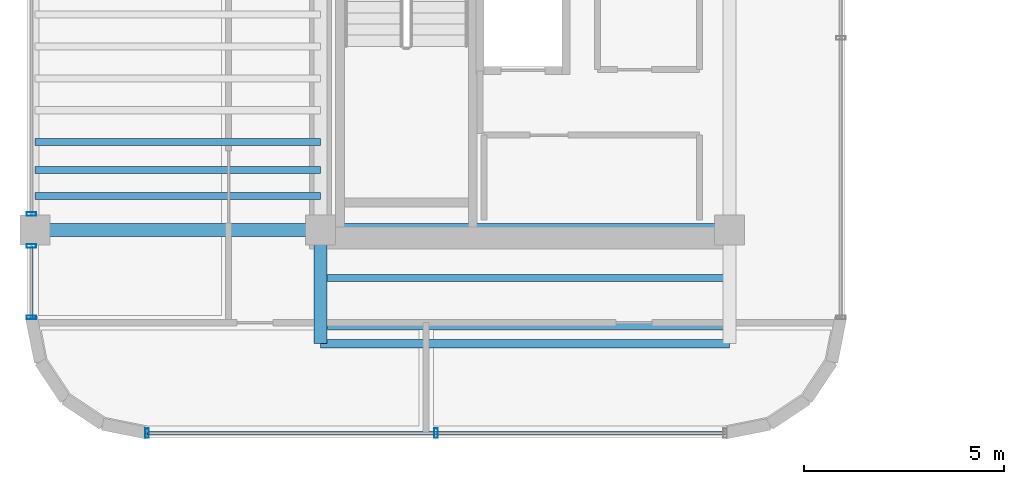
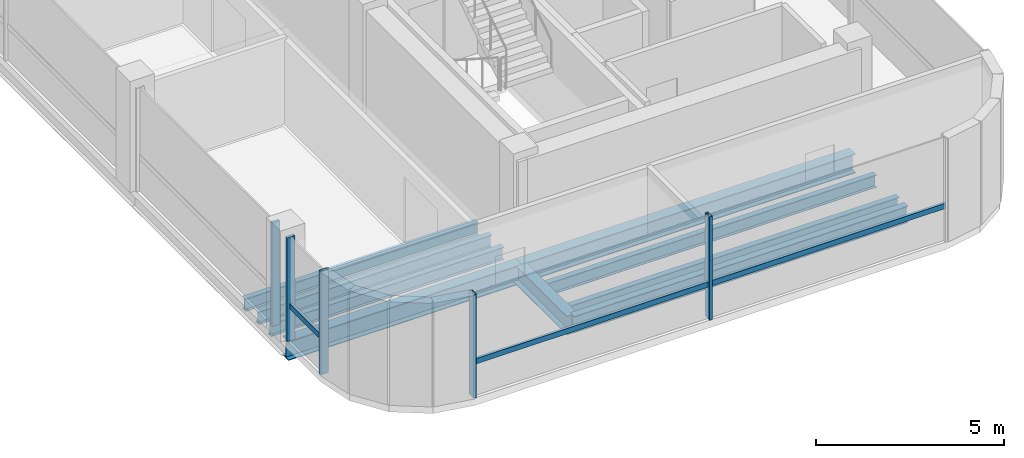
# One storey, part 2 of 13: 9 beams, 7 members, 3 elements without a shape of their own.
"""IFC4 building model written with IfcOpenShell, lengths in metres."""

import ifcopenshell
import ifcopenshell.guid

model = None  # the IFC model being written
_history = None  # IfcOwnerHistory: only IFC2X3 demands one
_inside = {}  # id of a spatial element -> (the spatial element, [elements in it])
_under = {}  # id of a project, library or spatial element -> (it, [spatial elements below it])
_declared = {}  # id of a project -> (the project, [libraries it declares])
_typed = {}  # id of a type object -> (the type object, [elements of that type])
_made_of = {}  # id of a material, layer set ... -> (it, [elements and type objects made of it])


def new_model(schema):
    """Start an empty IFC model of exactly this schema.

    Asked for "IFC4X3", IfcOpenShell would pick the latest addendum, in which some entities
    have other attributes; the version numbers below select the first issue.
    IFC2X3 requires an IfcOwnerHistory on every rooted entity: one is made here for all.
    """
    global model, _history
    if schema == "IFC4X3":
        model = ifcopenshell.file(schema_version=(4, 3, 0, 0))
    else:
        model = ifcopenshell.file(schema=schema)
    _inside.clear()
    _under.clear()
    _declared.clear()
    _typed.clear()
    _made_of.clear()
    _history = None
    if model.schema == "IFC2X3":
        org = make("IfcOrganization", Name="unknown")
        user = make(
            "IfcPersonAndOrganization",
            ThePerson=make("IfcPerson", FamilyName="unknown"),
            TheOrganization=org,
        )
        app = make(
            "IfcApplication",
            ApplicationDeveloper=org,
            Version="unknown",
            ApplicationFullName="unknown",
            ApplicationIdentifier="unknown",
        )
        _history = make(
            "IfcOwnerHistory",
            OwningUser=user,
            OwningApplication=app,
            ChangeAction="ADDED",
            CreationDate=0,
        )
    return model


def make(cls, **values):
    """One entity of the class cls with the attributes given. An attribute that is None is left unset."""
    return model.create_entity(
        cls, **{name: value for name, value in values.items() if value is not None}
    )


def rooted(cls, **values):
    """An entity with a GlobalId (a new one), such as an element, a storey or a relation."""
    return make(cls, GlobalId=ifcopenshell.guid.new(), OwnerHistory=_history, **values)


def si_unit(unit_type, name, prefix=None):
    """IfcSIUnit, for example si_unit("LENGTHUNIT", "METRE", prefix="MILLI")."""
    return make("IfcSIUnit", UnitType=unit_type, Prefix=prefix, Name=name)


def assignment(units):
    """IfcUnitAssignment: the units of a project."""
    return None if units is None else make("IfcUnitAssignment", Units=units)


def point(xyz):
    """IfcCartesianPoint."""
    return None if xyz is None else make("IfcCartesianPoint", Coordinates=xyz)


def direction(xyz):
    """IfcDirection."""
    return None if xyz is None else make("IfcDirection", DirectionRatios=xyz)


def frame(location, z_axis=None, x_axis=None):
    """IfcAxis2Placement3D, a coordinate frame: its origin and axes. An axis left out is left unset."""
    return make(
        "IfcAxis2Placement3D",
        Location=point(location),
        Axis=direction(z_axis),
        RefDirection=direction(x_axis),
    )


def frame_2d(location, x_axis=None):
    """IfcAxis2Placement2D, a coordinate frame in the plane: its origin and x axis."""
    return make(
        "IfcAxis2Placement2D", Location=point(location), RefDirection=direction(x_axis)
    )


def origin():
    """The frame at (0, 0, 0) with its axes left unset."""
    return frame((0.0, 0.0, 0.0))


def origin_2d():
    """The frame at (0, 0) in the plane with its x axis left unset."""
    return frame_2d((0.0, 0.0))


def place(relative_to, where):
    """IfcLocalPlacement: puts the frame where relative to a parent placement (None: the world)."""
    return make(
        "IfcLocalPlacement", PlacementRelTo=relative_to, RelativePlacement=where
    )


def context(
    kind, dimensions, precision=None, world=None, true_north=None, identifier=None
):
    """IfcGeometricRepresentationContext, for example the 3D "Model" context."""
    return make(
        "IfcGeometricRepresentationContext",
        ContextIdentifier=identifier,
        ContextType=kind,
        CoordinateSpaceDimension=dimensions,
        Precision=precision,
        WorldCoordinateSystem=world,
        TrueNorth=true_north,
    )


def subcontext(parent, identifier, kind, view, scale=None):
    """IfcGeometricRepresentationSubContext, for example "Body" below "Model"."""
    return make(
        "IfcGeometricRepresentationSubContext",
        ContextIdentifier=identifier,
        ContextType=kind,
        ParentContext=parent,
        TargetScale=scale,
        TargetView=view,
    )


def project(units=None, contexts=None):
    """IfcProject with its units and contexts."""
    return rooted(
        "IfcProject",
        Name="project",
        RepresentationContexts=contexts,
        UnitsInContext=assignment(units),
    )


def spatial(cls, under=None, at=None, **own):
    """A site, building, storey or space (cls), placed at a placement, below another one or the project."""
    s = rooted(cls, ObjectPlacement=at, **own)
    if under is not None:
        _under.setdefault(under.id(), (under, []))[1].append(s)
    return s


def profile(cls, at=None, kind="AREA", **sizes):
    """A parametric profile (cls). Its sizes go by their IFC names, for example OverallWidth=200.0."""
    return make(cls, ProfileType=kind, Position=at, **sizes)


def hollow_rectangle(**sizes):
    """IfcRectangleHollowProfileDef."""
    return profile("IfcRectangleHollowProfileDef", **sizes)


def i_section(**sizes):
    """IfcIShapeProfileDef."""
    return profile("IfcIShapeProfileDef", **sizes)


def extrude(swept, where, along, depth):
    """IfcExtrudedAreaSolid: the profile swept, set in the frame where, extruded along a direction by depth."""
    return make(
        "IfcExtrudedAreaSolid",
        SweptArea=swept,
        Position=where,
        ExtrudedDirection=direction(along),
        Depth=depth,
    )


def shape(context_of_items, identifier, shape_type, items):
    """IfcShapeRepresentation: the items that make up one representation, for example the "Body"."""
    return make(
        "IfcShapeRepresentation",
        ContextOfItems=context_of_items,
        RepresentationIdentifier=identifier,
        RepresentationType=shape_type,
        Items=items,
    )


def source(mapping_origin, context_of_items, identifier, shape_type, items):
    """IfcRepresentationMap: a shape defined once, which mapped items show again and again."""
    return make(
        "IfcRepresentationMap",
        MappingOrigin=mapping_origin,
        MappedRepresentation=shape(context_of_items, identifier, shape_type, items),
    )


def transform(
    local_origin,
    x_axis=None,
    y_axis=None,
    z_axis=None,
    scale=None,
    scale2=None,
    scale3=None,
    uniform=True,
):
    """IfcCartesianTransformationOperator3D, or its non-uniform kind. x_axis, y_axis, z_axis: its Axis1, 2, 3."""
    if uniform:
        return make(
            "IfcCartesianTransformationOperator3D",
            Axis1=direction(x_axis),
            Axis2=direction(y_axis),
            LocalOrigin=point(local_origin),
            Scale=scale,
            Axis3=direction(z_axis),
        )
    return make(
        "IfcCartesianTransformationOperator3DnonUniform",
        Axis1=direction(x_axis),
        Axis2=direction(y_axis),
        LocalOrigin=point(local_origin),
        Scale=scale,
        Axis3=direction(z_axis),
        Scale2=scale2,
        Scale3=scale3,
    )


def mapped(mapping_source, mapping_target):
    """IfcMappedItem: shows the shape of a source again, moved by a transform."""
    return make(
        "IfcMappedItem", MappingSource=mapping_source, MappingTarget=mapping_target
    )


def material(Name=None, Category=None):
    """IfcMaterial."""
    return make("IfcMaterial", Name=Name, Category=Category)


def material_profile(
    of_material, cross_section, Name=None, Category=None, Priority=None
):
    """IfcMaterialProfile: a cross section and its material."""
    return make(
        "IfcMaterialProfile",
        Name=Name,
        Material=of_material,
        Profile=cross_section,
        Priority=Priority,
        Category=Category,
    )


def profile_set(profiles, Name=None, composite=None):
    """IfcMaterialProfileSet."""
    return make(
        "IfcMaterialProfileSet",
        Name=Name,
        MaterialProfiles=profiles,
        CompositeProfile=composite,
    )


def made_of(thing, what):
    """Note that an element or type object is made of a material, layer set ...; save() writes the relation."""
    if what is not None:
        _made_of.setdefault(what.id(), (what, []))[1].append(thing)
    return thing


def type_object(cls, material=None, **own):
    """A type object (cls), such as IfcWallType, which elements share."""
    return made_of(rooted(cls, **own), material)


def element(
    cls,
    number,
    at=None,
    inside=None,
    cuts=None,
    type_object=None,
    material=None,
    context=None,
    identifier="Body",
    shape_type=None,
    held_by="IfcProductDefinitionShape",
    body=None,
    shapes=None,
    **own,
):
    """One element of the class cls, such as IfcWall. Its Tag is "e" and its number.

    at: its placement. inside: the storey or other place that contains it. cuts: it is an
    opening in that element (IfcRelVoidsElement). A single representation is given by context,
    identifier, shape_type and body (its items); several are given by shapes. held_by: the class
    of the entity that holds the representations. save() writes the other relations.
    """
    e = rooted(cls, Tag="e%d" % number, ObjectPlacement=at, **own)
    if body is not None:
        shapes = [shape(context, identifier, shape_type, body)]
    if shapes is not None:
        e.Representation = make(held_by, Representations=shapes)
    if inside is not None:
        _inside.setdefault(inside.id(), (inside, []))[1].append(e)
    if cuts is not None:
        rooted(
            "IfcRelVoidsElement", RelatingBuildingElement=cuts, RelatedOpeningElement=e
        )
    if type_object is not None:
        _typed.setdefault(type_object.id(), (type_object, []))[1].append(e)
    return made_of(e, material)


def aggregate(whole, parts):
    """IfcRelAggregates: a whole, such as a stair, and the parts it consists of."""
    return rooted("IfcRelAggregates", RelatingObject=whole, RelatedObjects=parts)


def save(model, path):
    """Write the relations noted so far, then the file.

    IfcRelAggregates (storeys below a building ...), IfcRelContainedInSpatialStructure (elements
    in a storey), IfcRelDefinesByType, IfcRelAssociatesMaterial and IfcRelDeclares: one each for
    every whole, place, type object, material and project.
    """
    for whole, parts in _under.values():
        aggregate(whole, parts)
    for where, things in _inside.values():
        rooted(
            "IfcRelContainedInSpatialStructure",
            RelatedElements=things,
            RelatingStructure=where,
        )
    for kind, things in _typed.values():
        rooted("IfcRelDefinesByType", RelatedObjects=things, RelatingType=kind)
    for what, things in _made_of.values():
        rooted("IfcRelAssociatesMaterial", RelatedObjects=things, RelatingMaterial=what)
    for by, libraries in _declared.values():
        rooted("IfcRelDeclares", RelatingContext=by, RelatedDefinitions=libraries)
    model.write(path)


model = new_model("IFC4")

# Units and contexts
model_context = context("Model", 3, precision=1e-05, world=origin(), true_north=direction((0.0, 1.0)))
body_context = subcontext(model_context, "Body", "Model", "MODEL_VIEW")
ifc_project = project(units=[si_unit("LENGTHUNIT", "METRE"), si_unit("AREAUNIT", "SQUARE_METRE"), si_unit("VOLUMEUNIT", "CUBIC_METRE"), si_unit("PLANEANGLEUNIT", "RADIAN"), si_unit("MASSUNIT", "GRAM", prefix="KILO")], contexts=[model_context])

# Site, building, storey
site_placement = place(None, origin())
site = spatial("IfcSite", under=ifc_project, at=site_placement, CompositionType="ELEMENT")
building_placement = place(site_placement, origin())
building = spatial("IfcBuilding", under=site, at=building_placement, Name="Valdorenza Pilgrim Sanctuary Tower", CompositionType="ELEMENT")
storey_placement = place(building_placement, frame((0.0, 0.0, 290.60009765625)))
storey = spatial("IfcBuildingStorey", under=building, at=storey_placement, Name="L76", CompositionType="ELEMENT", Elevation=290.60009765625)

# Beams
ifc_material_1 = material(Name="Steel ASTM A992 Grade 50", Category="steel")
ifc_material_profile_1 = material_profile(ifc_material_1, i_section(OverallWidth=0.323974609375, OverallDepth=0.611083984375, WebThickness=0.0126953125, FlangeThickness=0.01904296875, at=origin_2d()), Name="W24X104")
ifc_profile_set_1 = profile_set([ifc_material_profile_1], Name="Steel ASTM A992 Grade 50")
beam_type_1 = type_object("IfcBeamType", Name="STR-BM-GRD-W24B", PredefinedType="BEAM", material=ifc_profile_set_1)
shared_shape_1 = source(origin(), body_context, "Body", "SweptSolid", [
    extrude(i_section(OverallWidth=0.323974609375, OverallDepth=0.611083984375, WebThickness=0.0126953125, FlangeThickness=0.01904296875, at=origin_2d()), origin(), (0.0, 0.0, 1.0), 2.849853515625),
])
beam_1_placement = place(storey_placement, frame((-22.64990234375, -13.449951171875, -0.545654296875), z_axis=(0.0, 1.0, 0.0), x_axis=(-1.0, 0.0, 0.0)))
element("IfcBeam", 1, at=beam_1_placement, inside=storey, type_object=beam_type_1, Name="L76 Floor Girder WA-S-LW", PredefinedType="BEAM", context=body_context, shape_type="MappedRepresentation", body=[
    mapped(shared_shape_1, transform((0.0, 0.0, 0.0), x_axis=(1.0, 0.0, 0.0), y_axis=(0.0, 1.0, 0.0), z_axis=(0.0, 0.0, 1.0), scale=1.0)),
])
ifc_material_profile_2 = material_profile(ifc_material_1, i_section(OverallWidth=0.2109375, OverallDepth=0.5390625, WebThickness=0.01171875, FlangeThickness=0.018798828125, at=origin_2d()), Name="W21X73")
ifc_profile_set_2 = profile_set([ifc_material_profile_2], Name="Steel ASTM A992 Grade 50")
beam_type_2 = type_object("IfcBeamType", Name="STR-BM-SPN-W21B", PredefinedType="SPANDREL", material=ifc_profile_set_2)
shared_shape_2 = source(origin(), body_context, "Body", "SweptSolid", [
    extrude(i_section(OverallWidth=0.2109375, OverallDepth=0.5390625, WebThickness=0.01171875, FlangeThickness=0.018798828125, at=origin_2d()), origin(), (0.0, 0.0, 1.0), 10.25),
])
beam_2_placement = place(storey_placement, frame((-22.64990234375, -13.449951171875, -0.509521484375), z_axis=(1.0, 0.0, 0.0), x_axis=(0.0, 1.0, 0.0)))
element("IfcBeam", 2, at=beam_2_placement, inside=storey, type_object=beam_type_2, Name="L76 South Spandrel WA-S-TIE", PredefinedType="SPANDREL", context=body_context, shape_type="MappedRepresentation", body=[
    mapped(shared_shape_2, transform((0.0, 0.0, 0.0), x_axis=(1.0, 0.0, 0.0), y_axis=(0.0, 1.0, 0.0), z_axis=(0.0, 0.0, 1.0), scale=1.0)),
])
ifc_material_profile_3 = material_profile(ifc_material_1, i_section(OverallWidth=0.177978515625, OverallDepth=0.406005859375, WebThickness=0.0078125, FlangeThickness=0.0126953125, at=origin_2d()), Name="W16X40")
ifc_profile_set_3 = profile_set([ifc_material_profile_3], Name="Steel ASTM A992 Grade 50")
beam_type_3 = type_object("IfcBeamType", Name="STR-BM-JST-W16", PredefinedType="JOIST", material=ifc_profile_set_3)
shared_shape_3 = source(origin(), body_context, "Body", "SweptSolid", [
    extrude(i_section(OverallWidth=0.177978515625, OverallDepth=0.406005859375, WebThickness=0.0078125, FlangeThickness=0.0126953125, at=origin_2d()), origin(), (0.0, 0.0, 1.0), 10.25),
])
for number, where, z_axis, x_axis, name in (
    (3, (-22.64990234375, -13.0, -0.443115234375), (1.0, 0.0, 0.0), (0.0, 1.0, 0.0), "L76 Composite Floor Joist JST-WAS-1"),
    (4, (-22.64990234375, -11.800048828125, -0.443115234375), (1.0, 0.0, 0.0), (0.0, 1.0, 0.0), "L76 Composite Floor Joist JST-WAS-2"),
):
    element("IfcBeam", number, at=place(storey_placement, frame(where, z_axis=z_axis, x_axis=x_axis)), inside=storey, type_object=beam_type_3, Name=name, PredefinedType="JOIST", context=body_context, shape_type="MappedRepresentation", body=[
        mapped(shared_shape_3, transform((0.0, 0.0, 0.0), x_axis=(1.0, 0.0, 0.0), y_axis=(0.0, 1.0, 0.0), z_axis=(0.0, 0.0, 1.0), scale=1.0)),
    ])
shared_shape_4 = source(origin(), body_context, "Body", "SweptSolid", [
    extrude(i_section(OverallWidth=0.177978515625, OverallDepth=0.406005859375, WebThickness=0.0078125, FlangeThickness=0.0126953125, at=origin_2d()), origin(), (0.0, 0.0, 1.0), 7.150146484375),
])
for number, where, z_axis, x_axis, name in (
    (5, (-29.800048828125, -9.75, -0.443115234375), (1.0, 0.0, 0.0), (0.0, 1.0, 0.0), "L76 Composite Floor Joist JST-WA-1"),
    (6, (-29.800048828125, -9.10009765625, -0.443115234375), (1.0, 0.0, 0.0), (0.0, 1.0, 0.0), "L76 Composite Floor Joist JST-WA-2"),
    (7, (-29.800048828125, -8.39990234375, -0.443115234375), (1.0, 0.0, 0.0), (0.0, 1.0, 0.0), "L76 Composite Floor Joist JST-WA-3"),
):
    element("IfcBeam", number, at=place(storey_placement, frame(where, z_axis=z_axis, x_axis=x_axis)), inside=storey, type_object=beam_type_3, Name=name, PredefinedType="JOIST", context=body_context, shape_type="MappedRepresentation", body=[
        mapped(shared_shape_4, transform((0.0, 0.0, 0.0), x_axis=(1.0, 0.0, 0.0), y_axis=(0.0, 1.0, 0.0), z_axis=(0.0, 0.0, 1.0), scale=1.0)),
    ])
ifc_material_profile_4 = material_profile(ifc_material_1, i_section(OverallWidth=0.326904296875, OverallDepth=0.6220703125, WebThickness=0.015380859375, FlangeThickness=0.0244140625, at=origin_2d()), Name="W24X131")
ifc_profile_set_4 = profile_set([ifc_material_profile_4], Name="Steel ASTM A992 Grade 50")
beam_type_4 = type_object("IfcBeamType", Name="STR-BM-GRD-W24A", PredefinedType="BEAM", material=ifc_profile_set_4)
shared_shape_5 = source(origin(), body_context, "Body", "SweptSolid", [
    extrude(i_section(OverallWidth=0.326904296875, OverallDepth=0.6220703125, WebThickness=0.015380859375, FlangeThickness=0.0244140625, at=origin_2d()), origin(), (0.0, 0.0, 1.0), 7.150146484375),
])
beam_3_placement = place(storey_placement, frame((-29.800048828125, -10.60009765625, -0.551025390625), z_axis=(1.0, 0.0, 0.0), x_axis=(0.0, 1.0, 0.0)))
element("IfcBeam", 8, at=beam_3_placement, inside=storey, type_object=beam_type_4, Name="L76 Floor Girder WA-XW-S1", PredefinedType="BEAM", context=body_context, shape_type="MappedRepresentation", body=[
    mapped(shared_shape_5, transform((0.0, 0.0, 0.0), x_axis=(1.0, 0.0, 0.0), y_axis=(0.0, 1.0, 0.0), z_axis=(0.0, 0.0, 1.0), scale=1.0)),
])
shared_shape_6 = source(origin(), body_context, "Body", "SweptSolid", [
    extrude(i_section(OverallWidth=0.326904296875, OverallDepth=0.6220703125, WebThickness=0.015380859375, FlangeThickness=0.0244140625, at=origin_2d()), origin(), (0.0, 0.0, 1.0), 10.25),
])
beam_4_placement = place(storey_placement, frame((-22.64990234375, -10.60009765625, -0.551025390625), z_axis=(1.0, 0.0, 0.0), x_axis=(0.0, 1.0, 0.0)))
element("IfcBeam", 9, at=beam_4_placement, inside=storey, type_object=beam_type_4, Name="L76 Floor Girder CA-XC-S1", PredefinedType="BEAM", context=body_context, shape_type="MappedRepresentation", body=[
    mapped(shared_shape_6, transform((0.0, 0.0, 0.0), x_axis=(1.0, 0.0, 0.0), y_axis=(0.0, 1.0, 0.0), z_axis=(0.0, 0.0, 1.0), scale=1.0)),
])

# Curtain wall, members
ifc_material_2 = material(Name="Curtain-wall IGU glazing", Category="glass")
curtain_wall_type = type_object("IfcCurtainWallType", Name="CW-SYS-04", PredefinedType="NOTDEFINED", material=ifc_material_2)
curtain_wall_1_placement = place(storey_placement, origin())
curtain_wall_1 = element("IfcCurtainWall", 10, at=curtain_wall_1_placement, inside=storey, type_object=curtain_wall_type, Name="L76 Curtain Wall CW-L76-1-1S1", PredefinedType="NOTDEFINED")
ifc_material_3 = material(Name="Anodised aluminium AW-6060", Category="aluminium")
ifc_material_profile_5 = material_profile(ifc_material_3, hollow_rectangle(XDim=0.090087890625, YDim=0.239990234375, WallThickness=0.0048828125, at=origin_2d()), Name="ALU-M 240x90x5")
ifc_profile_set_5 = profile_set([ifc_material_profile_5], Name="Anodised aluminium AW-6060")
member_type_1 = type_object("IfcMemberType", Name="CW-MUL-04", PredefinedType="MULLION", material=ifc_profile_set_5)
shared_shape_7 = source(origin(), body_context, "Body", "SweptSolid", [
    extrude(hollow_rectangle(XDim=0.090087890625, YDim=0.239990234375, WallThickness=0.0048828125, at=origin_2d()), origin(), (0.0, 0.0, 1.0), 3.35986328125),
])
member_1_placement = place(storey_placement, frame((-29.889892578125, -12.789306640625, 0.0), z_axis=(0.0, 0.0, 1.0), x_axis=(0.0, 1.0, 0.0)))
member_1 = element("IfcMember", 11, at=member_1_placement, type_object=member_type_1, Name="CW-L76-1-1S1 Mullion 1", PredefinedType="MULLION", context=body_context, shape_type="MappedRepresentation", body=[
    mapped(shared_shape_7, transform((0.0, 0.0, 0.0), x_axis=(1.0, 0.0, 0.0), y_axis=(0.0, 1.0, 0.0), z_axis=(0.0, 0.0, 1.0), scale=1.0)),
])
member_2_placement = place(storey_placement, frame((-29.889892578125, -11.0, 0.0), z_axis=(0.0, 0.0, 1.0), x_axis=(0.0, 1.0, 0.0)))
member_2 = element("IfcMember", 12, at=member_2_placement, type_object=member_type_1, Name="CW-L76-1-1S1 Mullion 2", PredefinedType="MULLION", context=body_context, shape_type="MappedRepresentation", body=[
    mapped(shared_shape_7, transform((0.0, 0.0, 0.0), x_axis=(1.0, 0.0, 0.0), y_axis=(0.0, 1.0, 0.0), z_axis=(0.0, 0.0, 1.0), scale=1.0)),
])

# Curtain wall, member
curtain_wall_2_placement = place(storey_placement, origin())
curtain_wall_2 = element("IfcCurtainWall", 13, at=curtain_wall_2_placement, inside=storey, type_object=curtain_wall_type, Name="L76 Curtain Wall CW-L76-1-1S2", PredefinedType="NOTDEFINED")
member_3_placement = place(storey_placement, frame((-29.889892578125, -10.199951171875, 0.0), z_axis=(0.0, 0.0, 1.0), x_axis=(0.0, 1.0, 0.0)))
member_3 = element("IfcMember", 14, at=member_3_placement, type_object=member_type_1, Name="CW-L76-1-1S2 Mullion 1", PredefinedType="MULLION", context=body_context, shape_type="MappedRepresentation", body=[
    mapped(shared_shape_7, transform((0.0, 0.0, 0.0), x_axis=(1.0, 0.0, 0.0), y_axis=(0.0, 1.0, 0.0), z_axis=(0.0, 0.0, 1.0), scale=1.0)),
])
aggregate(curtain_wall_2, [member_3])

# Curtain wall, members
curtain_wall_3_placement = place(storey_placement, origin())
curtain_wall_3 = element("IfcCurtainWall", 15, at=curtain_wall_3_placement, inside=storey, type_object=curtain_wall_type, Name="L76 Curtain Wall CW-L76-1-26", PredefinedType="NOTDEFINED")
member_4_placement = place(storey_placement, frame((-19.75, -15.68994140625, 0.0), z_axis=(0.0, 0.0, 1.0), x_axis=(-1.0, 0.0, 0.0)))
member_4 = element("IfcMember", 16, at=member_4_placement, type_object=member_type_1, Name="CW-L76-1-26 Mullion 2", PredefinedType="MULLION", context=body_context, shape_type="MappedRepresentation", body=[
    mapped(shared_shape_7, transform((0.0, 0.0, 0.0), x_axis=(1.0, 0.0, 0.0), y_axis=(0.0, 1.0, 0.0), z_axis=(0.0, 0.0, 1.0), scale=1.0)),
])
member_5_placement = place(storey_placement, frame((-26.9892578125, -15.68994140625, 0.0), z_axis=(0.0, 0.0, 1.0), x_axis=(-1.0, 0.0, 0.0)))
member_5 = element("IfcMember", 17, at=member_5_placement, type_object=member_type_1, Name="CW-L76-1-26 Mullion 3", PredefinedType="MULLION", context=body_context, shape_type="MappedRepresentation", body=[
    mapped(shared_shape_7, transform((0.0, 0.0, 0.0), x_axis=(1.0, 0.0, 0.0), y_axis=(0.0, 1.0, 0.0), z_axis=(0.0, 0.0, 1.0), scale=1.0)),
])

# Member
ifc_material_profile_6 = material_profile(ifc_material_3, hollow_rectangle(XDim=0.080078125, YDim=0.169921875, WallThickness=0.00390625, at=origin_2d()), Name="ALU-T 170x80x4")
ifc_profile_set_6 = profile_set([ifc_material_profile_6], Name="Anodised aluminium AW-6060")
member_type_2 = type_object("IfcMemberType", Name="CW-TRN-04", PredefinedType="USERDEFINED", material=ifc_profile_set_6)
shared_shape_8 = source(origin(), body_context, "Body", "SweptSolid", [
    extrude(hollow_rectangle(XDim=0.080078125, YDim=0.169921875, WallThickness=0.00390625, at=origin_2d()), origin(), (0.0, 0.0, 1.0), 1.789306640625),
])
member_6_placement = place(storey_placement, frame((-29.889892578125, -12.789306640625, 1.119873046875), z_axis=(0.0, 1.0, 0.0), x_axis=(-1.0, 0.0, 0.0)))
member_6 = element("IfcMember", 18, at=member_6_placement, type_object=member_type_2, Name="CW-L76-1-1S1 Transom 1", ObjectType="TRANSOM", PredefinedType="USERDEFINED", context=body_context, shape_type="MappedRepresentation", body=[
    mapped(shared_shape_8, transform((0.0, 0.0, 0.0), x_axis=(1.0, 0.0, 0.0), y_axis=(0.0, 1.0, 0.0), z_axis=(0.0, 0.0, 1.0), scale=1.0)),
])

aggregate(curtain_wall_1, [member_1, member_2, member_6])

shared_shape_9 = source(origin(), body_context, "Body", "SweptSolid", [
    extrude(hollow_rectangle(XDim=0.080078125, YDim=0.169921875, WallThickness=0.00390625, at=origin_2d()), origin(), (0.0, 0.0, 1.0), 14.478515625),
])
member_7_placement = place(storey_placement, frame((-12.5107421875, -15.68994140625, 1.119873046875), z_axis=(-1.0, 0.0, 0.0), x_axis=(0.0, -1.0, 0.0)))
member_7 = element("IfcMember", 19, at=member_7_placement, type_object=member_type_2, Name="CW-L76-1-26 Transom 1", ObjectType="TRANSOM", PredefinedType="USERDEFINED", context=body_context, shape_type="MappedRepresentation", body=[
    mapped(shared_shape_9, transform((0.0, 0.0, 0.0), x_axis=(1.0, 0.0, 0.0), y_axis=(0.0, 1.0, 0.0), z_axis=(0.0, 0.0, 1.0), scale=1.0)),
])

aggregate(curtain_wall_3, [member_4, member_5, member_7])

save(model, "model.ifc")
